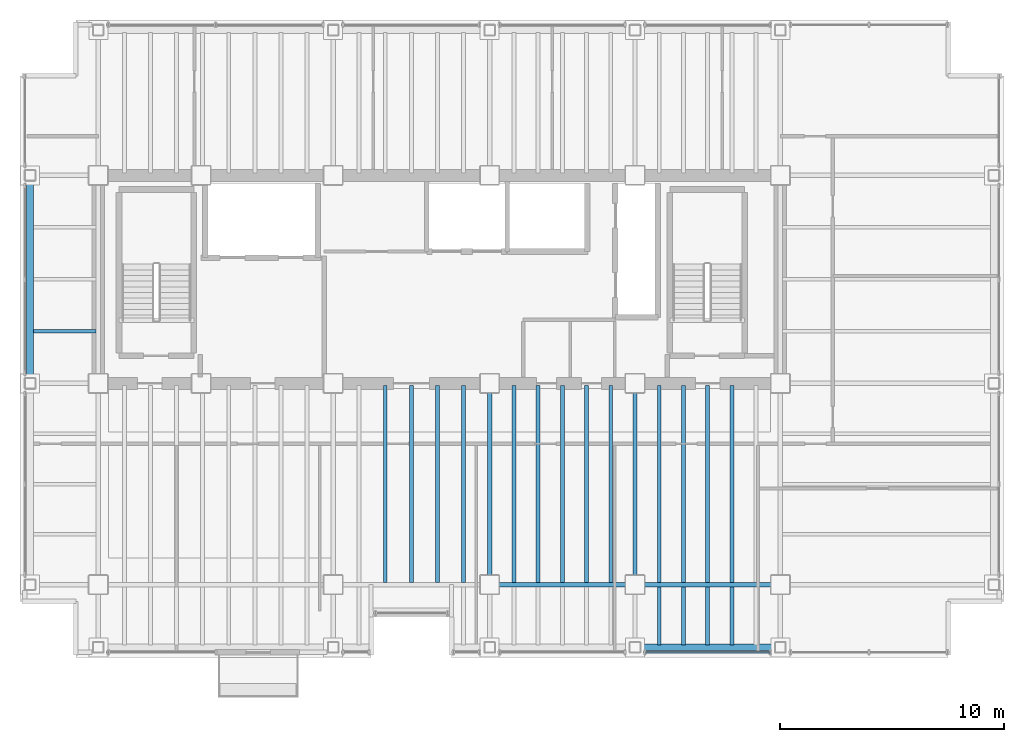
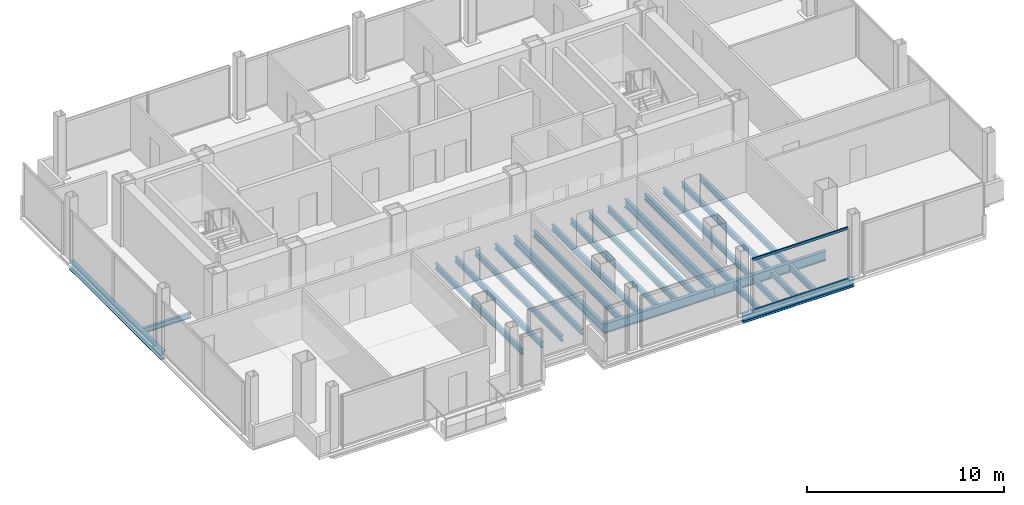
# One storey, part 5 of 15: 24 beams, 2 members, 1 element without a shape of its own.
"""IFC4 building model written with IfcOpenShell, lengths in metres."""

from ifc_helpers import new_model, si_unit, direction, frame, origin, origin_2d, place, context, subcontext, project, spatial, hollow_rectangle, i_section, extrude, material, material_profile, profile_set, type_object, element, aggregate, save


model = new_model("IFC4")

# Units and contexts
model_context = context("Model", 3, precision=1e-05, world=origin(), true_north=direction((0.0, 1.0)))
body_context = subcontext(model_context, "Body", "Model", "MODEL_VIEW")
ifc_project = project(units=[si_unit("LENGTHUNIT", "METRE"), si_unit("AREAUNIT", "SQUARE_METRE"), si_unit("VOLUMEUNIT", "CUBIC_METRE"), si_unit("PLANEANGLEUNIT", "RADIAN"), si_unit("MASSUNIT", "GRAM", prefix="KILO")], contexts=[model_context])

# Site, building, storey
site_placement = place(None, origin())
site = spatial("IfcSite", under=ifc_project, at=site_placement, CompositionType="ELEMENT")
building_placement = place(site_placement, origin())
building = spatial("IfcBuilding", under=site, at=building_placement, Name="Noeulbin Bourse Tower", CompositionType="ELEMENT")
storey_placement = place(building_placement, frame((0.0, 0.0, 173.39990234375)))
storey = spatial("IfcBuildingStorey", under=building, at=storey_placement, Name="L43", CompositionType="ELEMENT", Elevation=173.39990234375)

# Beams
ifc_material_1 = material(Name="Steel S355", Category="steel")
ifc_material_profile_1 = material_profile(ifc_material_1, i_section(OverallWidth=0.199951171875, OverallDepth=0.5, WebThickness=0.010009765625, FlangeThickness=0.01611328125, FilletRadius=0.02001953125, at=origin_2d()), Name="H-500x200x10x16", Category="LoadBearing")
ifc_profile_set_1 = profile_set([ifc_material_profile_1], Name="Steel S355")
beam_type_1 = type_object("IfcBeamType", Name="BM-GRD-500", PredefinedType="USERDEFINED", material=ifc_profile_set_1)
for number, where, z_axis, x_axis, name in (
    (1, (31.0, 20.0, -0.429931640625), (0.0, 1.0, 0.0), (-1.0, 0.0, 0.0), "Tower Primary Girder NS L43-3.2"),
    (2, (37.5, 20.0, -0.429931640625), (0.0, 1.0, 0.0), (-1.0, 0.0, 0.0), "Tower Primary Girder NS L43-4.2"),
):
    element("IfcBeam", number, at=place(storey_placement, frame(where, z_axis=z_axis, x_axis=x_axis)), inside=storey, type_object=beam_type_1, Name=name, ObjectType="GIRDER", PredefinedType="USERDEFINED", context=body_context, shape_type="SweptSolid", body=[
        extrude(i_section(OverallWidth=0.199951171875, OverallDepth=0.5, WebThickness=0.010009765625, FlangeThickness=0.01611328125, FilletRadius=0.02001953125, at=origin_2d()), origin(), (0.0, 0.0, 1.0), 9.0),
    ])
ifc_material_profile_2 = material_profile(ifc_material_1, i_section(OverallWidth=0.199951171875, OverallDepth=0.60009765625, WebThickness=0.010986328125, FlangeThickness=0.01708984375, FilletRadius=0.02197265625, at=origin_2d()), Name="H-600x200x11x17", Category="LoadBearing")
ifc_profile_set_2 = profile_set([ifc_material_profile_2], Name="Steel S355")
beam_type_2 = type_object("IfcBeamType", Name="BM-GRD-600", PredefinedType="USERDEFINED", material=ifc_profile_set_2)
for number, where, z_axis, x_axis, name in (
    (3, (31.0, 20.0, -0.47998046875), (1.0, 0.0, 0.0), (0.0, 1.0, 0.0), "Tower Primary Girder EW L43-1.4"),
    (4, (37.5, 20.0, -0.47998046875), (1.0, 0.0, 0.0), (0.0, 1.0, 0.0), "Tower Primary Girder EW L43-1.5"),
):
    element("IfcBeam", number, at=place(storey_placement, frame(where, z_axis=z_axis, x_axis=x_axis)), inside=storey, type_object=beam_type_2, Name=name, ObjectType="GIRDER", PredefinedType="USERDEFINED", context=body_context, shape_type="SweptSolid", body=[
        extrude(i_section(OverallWidth=0.199951171875, OverallDepth=0.60009765625, WebThickness=0.010986328125, FlangeThickness=0.01708984375, FilletRadius=0.02197265625, at=origin_2d()), origin(), (0.0, 0.0, 1.0), 6.5),
    ])
ifc_material_profile_3 = material_profile(ifc_material_1, i_section(OverallWidth=0.159912109375, OverallDepth=0.320068359375, WebThickness=0.006591796875, FlangeThickness=0.010009765625, FilletRadius=0.012939453125, at=origin_2d()), Name="H-320x160x6.5x10", Category="LoadBearing")
ifc_profile_set_3 = profile_set([ifc_material_profile_3], Name="Steel S355")
beam_type_3 = type_object("IfcBeamType", Name="BM-JST-320", PredefinedType="JOIST", material=ifc_profile_set_3)
beam_1_placement = place(storey_placement, frame((10.60009765625, 31.324951171875, -0.33984375), z_axis=(1.0, 0.0, 0.0), x_axis=(0.0, 1.0, 0.0)))
element("IfcBeam", 5, at=beam_1_placement, inside=storey, type_object=beam_type_3, Name="Wing Composite Joist L43-W70", PredefinedType="JOIST", context=body_context, shape_type="SweptSolid", body=[
    extrude(i_section(OverallWidth=0.159912109375, OverallDepth=0.320068359375, WebThickness=0.006591796875, FlangeThickness=0.010009765625, FilletRadius=0.012939453125, at=origin_2d()), origin(), (0.0, 0.0, 1.0), 2.7998046875),
])
ifc_material_profile_4 = material_profile(ifc_material_1, i_section(OverallWidth=0.175048828125, OverallDepth=0.35009765625, WebThickness=0.007080078125, FlangeThickness=0.010986328125, FilletRadius=0.013916015625, at=origin_2d()), Name="H-350x175x7x11", Category="LoadBearing")
ifc_profile_set_4 = profile_set([ifc_material_profile_4], Name="Steel S355")
beam_type_4 = type_object("IfcBeamType", Name="BM-JST-350", PredefinedType="JOIST", material=ifc_profile_set_4)
for number, where, z_axis, x_axis, name in (
    (6, (26.333251953125, 20.10009765625, -0.35498046875), (0.0, 1.0, 0.0), (-1.0, 0.0, 0.0), "Tower Composite Joist L43-28"),
    (7, (27.5, 20.10009765625, -0.35498046875), (0.0, 1.0, 0.0), (-1.0, 0.0, 0.0), "Tower Composite Joist L43-30"),
    (8, (28.666748046875, 20.10009765625, -0.35498046875), (0.0, 1.0, 0.0), (-1.0, 0.0, 0.0), "Tower Composite Joist L43-32"),
    (9, (29.833251953125, 20.10009765625, -0.35498046875), (0.0, 1.0, 0.0), (-1.0, 0.0, 0.0), "Tower Composite Joist L43-35"),
    (10, (32.083251953125, 20.10009765625, -0.35498046875), (0.0, 1.0, 0.0), (-1.0, 0.0, 0.0), "Tower Composite Joist L43-38"),
    (11, (33.166748046875, 20.10009765625, -0.35498046875), (0.0, 1.0, 0.0), (-1.0, 0.0, 0.0), "Tower Composite Joist L43-41"),
    (12, (34.25, 20.10009765625, -0.35498046875), (0.0, 1.0, 0.0), (-1.0, 0.0, 0.0), "Tower Composite Joist L43-44"),
    (13, (35.333251953125, 20.10009765625, -0.35498046875), (0.0, 1.0, 0.0), (-1.0, 0.0, 0.0), "Tower Composite Joist L43-47"),
    (14, (36.416748046875, 20.10009765625, -0.35498046875), (0.0, 1.0, 0.0), (-1.0, 0.0, 0.0), "Tower Composite Joist L43-50"),
):
    element("IfcBeam", number, at=place(storey_placement, frame(where, z_axis=z_axis, x_axis=x_axis)), inside=storey, type_object=beam_type_4, Name=name, PredefinedType="JOIST", context=body_context, shape_type="SweptSolid", body=[
        extrude(i_section(OverallWidth=0.175048828125, OverallDepth=0.35009765625, WebThickness=0.007080078125, FlangeThickness=0.010986328125, FilletRadius=0.013916015625, at=origin_2d()), origin(), (0.0, 0.0, 1.0), 8.7998046875),
    ])
beam_2_placement = place(storey_placement, frame((38.583251953125, 17.300048828125, -0.35498046875), z_axis=(0.0, 1.0, 0.0), x_axis=(-1.0, 0.0, 0.0)))
element("IfcBeam", 15, at=beam_2_placement, inside=storey, type_object=beam_type_4, Name="Tower Composite Joist L43-52", PredefinedType="JOIST", context=body_context, shape_type="SweptSolid", body=[
    extrude(i_section(OverallWidth=0.175048828125, OverallDepth=0.35009765625, WebThickness=0.007080078125, FlangeThickness=0.010986328125, FilletRadius=0.013916015625, at=origin_2d()), origin(), (0.0, 0.0, 1.0), 2.599853515625),
])
beam_3_placement = place(storey_placement, frame((38.583251953125, 20.10009765625, -0.35498046875), z_axis=(0.0, 1.0, 0.0), x_axis=(-1.0, 0.0, 0.0)))
element("IfcBeam", 16, at=beam_3_placement, inside=storey, type_object=beam_type_4, Name="Tower Composite Joist L43-53", PredefinedType="JOIST", context=body_context, shape_type="SweptSolid", body=[
    extrude(i_section(OverallWidth=0.175048828125, OverallDepth=0.35009765625, WebThickness=0.007080078125, FlangeThickness=0.010986328125, FilletRadius=0.013916015625, at=origin_2d()), origin(), (0.0, 0.0, 1.0), 8.7998046875),
])
beam_4_placement = place(storey_placement, frame((39.666748046875, 17.300048828125, -0.35498046875), z_axis=(0.0, 1.0, 0.0), x_axis=(-1.0, 0.0, 0.0)))
element("IfcBeam", 17, at=beam_4_placement, inside=storey, type_object=beam_type_4, Name="Tower Composite Joist L43-55", PredefinedType="JOIST", context=body_context, shape_type="SweptSolid", body=[
    extrude(i_section(OverallWidth=0.175048828125, OverallDepth=0.35009765625, WebThickness=0.007080078125, FlangeThickness=0.010986328125, FilletRadius=0.013916015625, at=origin_2d()), origin(), (0.0, 0.0, 1.0), 2.599853515625),
])
beam_5_placement = place(storey_placement, frame((39.666748046875, 20.10009765625, -0.35498046875), z_axis=(0.0, 1.0, 0.0), x_axis=(-1.0, 0.0, 0.0)))
element("IfcBeam", 18, at=beam_5_placement, inside=storey, type_object=beam_type_4, Name="Tower Composite Joist L43-56", PredefinedType="JOIST", context=body_context, shape_type="SweptSolid", body=[
    extrude(i_section(OverallWidth=0.175048828125, OverallDepth=0.35009765625, WebThickness=0.007080078125, FlangeThickness=0.010986328125, FilletRadius=0.013916015625, at=origin_2d()), origin(), (0.0, 0.0, 1.0), 8.7998046875),
])
beam_6_placement = place(storey_placement, frame((40.75, 17.300048828125, -0.35498046875), z_axis=(0.0, 1.0, 0.0), x_axis=(-1.0, 0.0, 0.0)))
element("IfcBeam", 19, at=beam_6_placement, inside=storey, type_object=beam_type_4, Name="Tower Composite Joist L43-58", PredefinedType="JOIST", context=body_context, shape_type="SweptSolid", body=[
    extrude(i_section(OverallWidth=0.175048828125, OverallDepth=0.35009765625, WebThickness=0.007080078125, FlangeThickness=0.010986328125, FilletRadius=0.013916015625, at=origin_2d()), origin(), (0.0, 0.0, 1.0), 2.599853515625),
])
beam_7_placement = place(storey_placement, frame((40.75, 20.10009765625, -0.35498046875), z_axis=(0.0, 1.0, 0.0), x_axis=(-1.0, 0.0, 0.0)))
element("IfcBeam", 20, at=beam_7_placement, inside=storey, type_object=beam_type_4, Name="Tower Composite Joist L43-59", PredefinedType="JOIST", context=body_context, shape_type="SweptSolid", body=[
    extrude(i_section(OverallWidth=0.175048828125, OverallDepth=0.35009765625, WebThickness=0.007080078125, FlangeThickness=0.010986328125, FilletRadius=0.013916015625, at=origin_2d()), origin(), (0.0, 0.0, 1.0), 8.7998046875),
])
beam_8_placement = place(storey_placement, frame((41.833251953125, 17.300048828125, -0.35498046875), z_axis=(0.0, 1.0, 0.0), x_axis=(-1.0, 0.0, 0.0)))
element("IfcBeam", 21, at=beam_8_placement, inside=storey, type_object=beam_type_4, Name="Tower Composite Joist L43-61", PredefinedType="JOIST", context=body_context, shape_type="SweptSolid", body=[
    extrude(i_section(OverallWidth=0.175048828125, OverallDepth=0.35009765625, WebThickness=0.007080078125, FlangeThickness=0.010986328125, FilletRadius=0.013916015625, at=origin_2d()), origin(), (0.0, 0.0, 1.0), 2.599853515625),
])
beam_9_placement = place(storey_placement, frame((41.833251953125, 20.10009765625, -0.35498046875), z_axis=(0.0, 1.0, 0.0), x_axis=(-1.0, 0.0, 0.0)))
element("IfcBeam", 22, at=beam_9_placement, inside=storey, type_object=beam_type_4, Name="Tower Composite Joist L43-62", PredefinedType="JOIST", context=body_context, shape_type="SweptSolid", body=[
    extrude(i_section(OverallWidth=0.175048828125, OverallDepth=0.35009765625, WebThickness=0.007080078125, FlangeThickness=0.010986328125, FilletRadius=0.013916015625, at=origin_2d()), origin(), (0.0, 0.0, 1.0), 8.7998046875),
])
ifc_material_profile_5 = material_profile(ifc_material_1, i_section(OverallWidth=0.300048828125, OverallDepth=0.488037109375, WebThickness=0.010986328125, FlangeThickness=0.01806640625, FilletRadius=0.02197265625, at=origin_2d()), Name="H-488x300x11x18", Category="LoadBearing")
ifc_profile_set_5 = profile_set([ifc_material_profile_5], Name="Steel S355")
beam_type_5 = type_object("IfcBeamType", Name="BM-SPN-488", PredefinedType="SPANDREL", material=ifc_profile_set_5)
beam_10_placement = place(storey_placement, frame((37.5, 17.199951171875, -0.423828125), z_axis=(1.0, 0.0, 0.0), x_axis=(0.0, 1.0, 0.0)))
element("IfcBeam", 23, at=beam_10_placement, inside=storey, type_object=beam_type_5, Name="South Spandrel L43-4", PredefinedType="SPANDREL", context=body_context, shape_type="SweptSolid", body=[
    extrude(i_section(OverallWidth=0.300048828125, OverallDepth=0.488037109375, WebThickness=0.010986328125, FlangeThickness=0.01806640625, FilletRadius=0.02197265625, at=origin_2d()), origin(), (0.0, 0.0, 1.0), 6.5),
])
beam_11_placement = place(storey_placement, frame((10.449951171875, 29.0, -0.423828125), z_axis=(0.0, 1.0, 0.0), x_axis=(-1.0, 0.0, 0.0)))
element("IfcBeam", 24, at=beam_11_placement, inside=storey, type_object=beam_type_5, Name="West Spandrel L43-2", PredefinedType="SPANDREL", context=body_context, shape_type="SweptSolid", body=[
    extrude(i_section(OverallWidth=0.300048828125, OverallDepth=0.488037109375, WebThickness=0.010986328125, FlangeThickness=0.01806640625, FilletRadius=0.02197265625, at=origin_2d()), origin(), (0.0, 0.0, 1.0), 9.300048828125),
])

# Curtain wall, members
ifc_material_2 = material(Name="Dark Tinted Triple Glazing", Category="glass")
curtain_wall_type = type_object("IfcCurtainWallType", Name="CW-SYS-3", PredefinedType="NOTDEFINED", material=ifc_material_2)
curtain_wall_placement = place(storey_placement, origin())
curtain_wall = element("IfcCurtainWall", 25, at=curtain_wall_placement, inside=storey, type_object=curtain_wall_type, Name="Unitised Curtain Wall CW-L43-S3-S3", PredefinedType="NOTDEFINED")
ifc_material_3 = material(Name="Anodised Aluminium 6063-T6", Category="aluminium")
ifc_material_profile_6 = material_profile(ifc_material_3, hollow_rectangle(XDim=0.074951171875, YDim=0.159912109375, WallThickness=0.0048828125, InnerFilletRadius=0.00244140625, OuterFilletRadius=0.0048828125, at=origin_2d()), Name="ALU-TRAN-75x160x5", Category="LoadBearing")
ifc_profile_set_6 = profile_set([ifc_material_profile_6], Name="Anodised Aluminium 6063-T6")
member_type = type_object("IfcMemberType", Name="CW-SYS-3-TRN", PredefinedType="USERDEFINED", material=ifc_profile_set_6)
member_1_placement = place(storey_placement, frame((37.9599609375, 16.969970703125, 0.010009765625), z_axis=(1.0, 0.0, 0.0), x_axis=(0.0, 1.0, 0.0)))
member_1 = element("IfcMember", 26, at=member_1_placement, type_object=member_type, Name="Curtain Wall Transom CW-L43-S3-S3-T00", ObjectType="TRANSOM", PredefinedType="USERDEFINED", context=body_context, shape_type="SweptSolid", body=[
    extrude(hollow_rectangle(XDim=0.074951171875, YDim=0.159912109375, WallThickness=0.0048828125, InnerFilletRadius=0.00244140625, OuterFilletRadius=0.0048828125, at=origin_2d()), origin(), (0.0, 0.0, 1.0), 5.580078125),
])
member_2_placement = place(storey_placement, frame((37.9599609375, 16.969970703125, 3.170166015625), z_axis=(1.0, 0.0, 0.0), x_axis=(0.0, 1.0, 0.0)))
member_2 = element("IfcMember", 27, at=member_2_placement, type_object=member_type, Name="Curtain Wall Transom CW-L43-S3-S3-T01", ObjectType="TRANSOM", PredefinedType="USERDEFINED", context=body_context, shape_type="SweptSolid", body=[
    extrude(hollow_rectangle(XDim=0.074951171875, YDim=0.159912109375, WallThickness=0.0048828125, InnerFilletRadius=0.00244140625, OuterFilletRadius=0.0048828125, at=origin_2d()), origin(), (0.0, 0.0, 1.0), 5.580078125),
])
aggregate(curtain_wall, [member_1, member_2])

save(model, "model.ifc")
